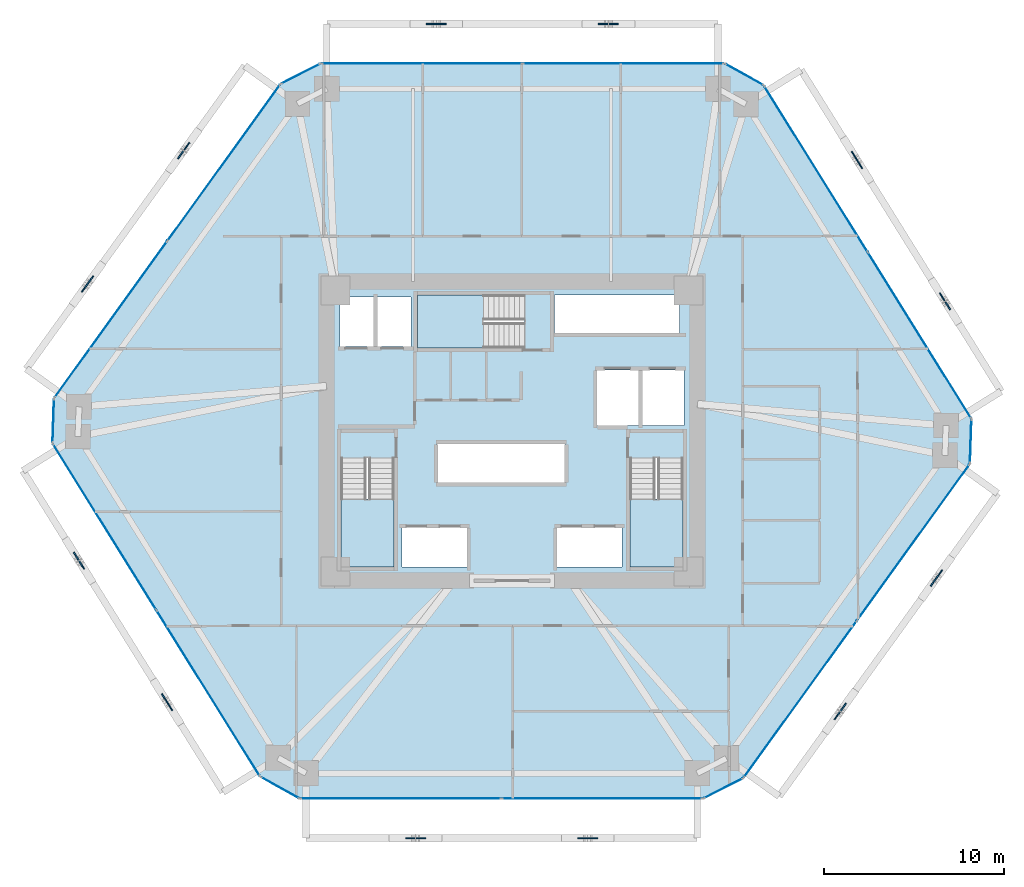
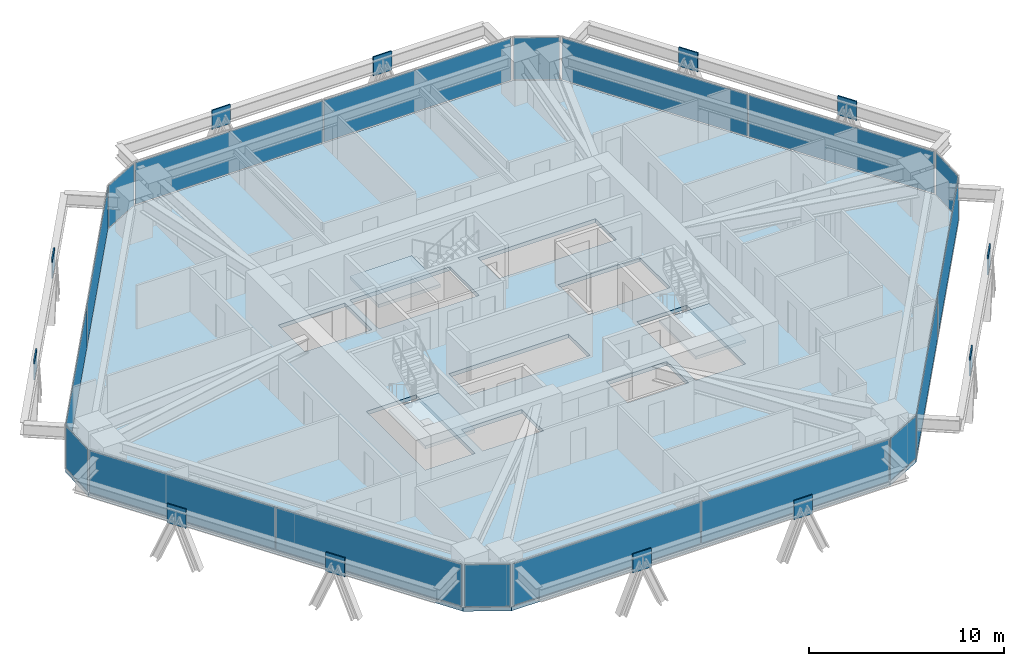
# One storey, part 10 of 18: 30 plates, 4 slabs, 15 elements without a shape of their own.
"""IFC4 building model written with IfcOpenShell, lengths in metres."""

from ifc_helpers import new_model, si_unit, direction, frame, origin, origin_2d, place, context, subcontext, project, spatial, polyline, rectangle, outline, extrude, source, transform, mapped, material, layer, layer_set, type_object, type_shapes, element, aggregate, save


model = new_model("IFC4")

# Units and contexts
model_context = context("Model", 3, precision=1e-05, world=origin(), true_north=direction((0.0, 1.0)))
body_context = subcontext(model_context, "Body", "Model", "MODEL_VIEW")
ifc_project = project(units=[si_unit("LENGTHUNIT", "METRE"), si_unit("AREAUNIT", "SQUARE_METRE"), si_unit("VOLUMEUNIT", "CUBIC_METRE"), si_unit("PLANEANGLEUNIT", "RADIAN"), si_unit("MASSUNIT", "GRAM", prefix="KILO")], contexts=[model_context])

# Site, building, storey
site_placement = place(None, origin())
site = spatial("IfcSite", under=ifc_project, at=site_placement, CompositionType="ELEMENT")
building_placement = place(site_placement, origin())
building = spatial("IfcBuilding", under=site, at=building_placement, Name="Durnholm Broadcast Tower", CompositionType="ELEMENT")
storey_placement = place(building_placement, frame((0.0, 0.0, 78.300048828125)))
storey = spatial("IfcBuildingStorey", under=building, at=storey_placement, Name="L20", CompositionType="ELEMENT", Elevation=78.300048828125)

# Slab
ifc_material_1 = material(Name="Concrete C50/60", Category="concrete")
ifc_layer_1 = layer(ifc_material_1, 0.239990234375)
ifc_layer_set_1 = layer_set([ifc_layer_1], Name="Concrete C50/60")
slab_type_1 = type_object("IfcSlabType", Name="SLAB-FLR-240", PredefinedType="FLOOR", material=ifc_layer_set_1)
slab_1_placement = place(storey_placement, frame((0.0, 0.0, -0.239990234375)))
element("IfcSlab", 1, at=slab_1_placement, inside=storey, type_object=slab_type_1, Name="L20 structural floor slab", PredefinedType="FLOOR", context=body_context, shape_type="SweptSolid", body=[
    extrude(outline(polyline([(-13.9794921875, -19.186279296875), (-11.793701171875, -20.39990234375), (10.6201171875, -20.39990234375), (12.845703125, -19.260986328125), (25.419921875, -1.820556640625), (25.50439453125, 0.677978515625), (13.9794921875, 19.186279296875), (11.793701171875, 20.39990234375), (-10.6201171875, 20.39990234375), (-12.845703125, 19.260986328125), (-25.419921875, 1.820556640625), (-25.50439453125, -0.677978515625), (-13.9794921875, -19.186279296875)]), holes=[polyline([(-2.5, -5.35009765625), (-6.10009765625, -5.35009765625), (-6.10009765625, -7.550048828125), (-2.5, -7.550048828125), (-2.5, -5.35009765625)]), polyline([(6.10009765625, -5.35009765625), (2.5, -5.35009765625), (2.5, -7.550048828125), (6.10009765625, -7.550048828125), (6.10009765625, -5.35009765625)]), polyline([(-6.5400390625, -7.550048828125), (-6.5400390625, -1.5), (-9.5, -1.5), (-9.5, -7.550048828125), (-6.5400390625, -7.550048828125)]), polyline([(9.5, -7.550048828125), (9.5, -1.5), (6.5400390625, -1.5), (6.5400390625, -7.550048828125), (9.5, -7.550048828125)]), polyline([(2.949951171875, -0.699951171875), (-4.14990234375, -0.699951171875), (-4.14990234375, -2.89990234375), (2.949951171875, -2.89990234375), (2.949951171875, -0.699951171875)]), polyline([(9.550048828125, 3.39990234375), (4.699951171875, 3.39990234375), (4.699951171875, 0.300048828125), (9.550048828125, 0.300048828125), (9.550048828125, 3.39990234375)]), polyline([(-5.60009765625, 7.449951171875), (-9.550048828125, 7.449951171875), (-9.550048828125, 4.699951171875), (-5.60009765625, 4.699951171875), (-5.60009765625, 7.449951171875)]), polyline([(-5.25, 7.56005859375), (-5.25, 4.60009765625), (0.699951171875, 4.60009765625), (0.699951171875, 7.56005859375), (-5.25, 7.56005859375)]), polyline([(9.31005859375, 5.39990234375), (9.31005859375, 7.550048828125), (2.35009765625, 7.550048828125), (2.35009765625, 5.39990234375), (9.31005859375, 5.39990234375)])]), origin(), (0.0, 0.0, 1.0), 0.239990234375),
])

# Stair, slab
stair_type = type_object("IfcStairType", Name="STAIR-DL-18R1667", PredefinedType="HALF_TURN_STAIR", material=ifc_material_1)
stair_1_placement = place(storey_placement, origin())
stair_1 = element("IfcStair", 2, at=stair_1_placement, inside=storey, type_object=stair_type, Name="L20 ST-1", PredefinedType="HALF_TURN_STAIR")
ifc_layer_2 = layer(ifc_material_1, 0.199951171875)
ifc_layer_set_2 = layer_set([ifc_layer_2], Name="Concrete C50/60")
slab_type_2 = type_object("IfcSlabType", Name="SLAB-LND-200", PredefinedType="LANDING", material=ifc_layer_set_2)
slab_2_placement = place(storey_placement, frame((0.0, 0.0, 1.300048828125)))
slab_2 = element("IfcSlab", 3, at=slab_2_placement, type_object=slab_type_2, Name="ST-1 landing 1", PredefinedType="LANDING", context=body_context, shape_type="SweptSolid", body=[
    extrude(outline(polyline([(-9.5, -3.780029296875), (-9.5, -7.550048828125), (-6.5400390625, -7.550048828125), (-6.5400390625, -3.780029296875), (-9.5, -3.780029296875)])), origin(), (0.0, 0.0, 1.0), 0.199951171875),
])
aggregate(stair_1, [slab_2])

stair_2_placement = place(storey_placement, origin())
stair_2 = element("IfcStair", 4, at=stair_2_placement, inside=storey, type_object=stair_type, Name="L20 ST-2", PredefinedType="HALF_TURN_STAIR")
slab_3_placement = place(storey_placement, frame((0.0, 0.0, 1.300048828125)))
slab_3 = element("IfcSlab", 5, at=slab_3_placement, type_object=slab_type_2, Name="ST-2 landing 1", PredefinedType="LANDING", context=body_context, shape_type="SweptSolid", body=[
    extrude(outline(polyline([(6.5400390625, -3.780029296875), (6.5400390625, -7.550048828125), (9.5, -7.550048828125), (9.5, -3.780029296875), (6.5400390625, -3.780029296875)])), origin(), (0.0, 0.0, 1.0), 0.199951171875),
])
aggregate(stair_2, [slab_3])

stair_3_placement = place(storey_placement, origin())
stair_3 = element("IfcStair", 6, at=stair_3_placement, inside=storey, type_object=stair_type, Name="L20 ST-3", PredefinedType="HALF_TURN_STAIR")
slab_4_placement = place(storey_placement, frame((0.0, 0.0, 1.300048828125)))
slab_4 = element("IfcSlab", 7, at=slab_4_placement, type_object=slab_type_2, Name="ST-3 landing 1", PredefinedType="LANDING", context=body_context, shape_type="SweptSolid", body=[
    extrude(outline(polyline([(-1.580078125, 7.56005859375), (-5.25, 7.56005859375), (-5.25, 4.60009765625), (-1.580078125, 4.60009765625), (-1.580078125, 7.56005859375)])), origin(), (0.0, 0.0, 1.0), 0.199951171875),
])
aggregate(stair_3, [slab_4])

# Plates
ifc_material_2 = material(Name="Steel ASTM A572 Grade 50", Category="steel")
ifc_layer_3 = layer(ifc_material_2, 0.074951171875)
ifc_layer_set_3 = layer_set([ifc_layer_3], Name="Steel ASTM A572 Grade 50")
plate_type_1 = type_object("IfcPlateType", Name="PLT-KN03-GUS", PredefinedType="USERDEFINED", material=ifc_layer_set_3)
shared_shape_1 = source(origin(), body_context, "Body", "SweptSolid", [
    extrude(rectangle(XDim=1.10009765625, YDim=0.074951171875, at=origin_2d()), origin(), (0.0, 0.0, 1.0), 1.199951171875),
])
type_shapes(plate_type_1, [shared_shape_1])
for number, where, z_axis, x_axis, name in (
    (8, (-5.351318359375, -22.60009765625, 1.40869140625), (0.0, 0.0, 1.0), (1.0, 0.0, 0.0), "L20 welded diagrid node gusset plate KN03 F1"),
    (9, (4.202880859375, -22.60009765625, 1.40869140625), (0.0, 0.0, 1.0), (1.0, 0.0, 0.0), "L20 welded diagrid node gusset plate KN03 F1"),
    (10, (18.223388671875, -15.56396484375, 1.40869140625), (0.0, 0.0, 1.0), (0.584816108738, 0.81116590101, 0.0), "L20 welded diagrid node gusset plate KN03 F2"),
    (11, (23.5595703125, -8.16259765625, 1.40869140625), (0.0, 0.0, 1.0), (0.584816108738, 0.81116590101, 0.0), "L20 welded diagrid node gusset plate KN03 F2"),
    (12, (24.036376953125, 7.197509765625, 1.40869140625), (0.0, 0.0, 1.0), (-0.528586500185, 0.848879444811, 0.0), "L20 welded diagrid node gusset plate KN03 F3"),
    (13, (19.14892578125, 15.04638671875, 1.40869140625), (0.0, 0.0, 1.0), (-0.528586500185, 0.848879444811, 0.0), "L20 welded diagrid node gusset plate KN03 F3"),
    (14, (5.351318359375, 22.60009765625, 1.40869140625), (0.0, 0.0, 1.0), (-1.0, 0.0, 0.0), "L20 welded diagrid node gusset plate KN03 F4"),
    (15, (-4.202880859375, 22.60009765625, 1.40869140625), (0.0, 0.0, 1.0), (-1.0, 0.0, 0.0), "L20 welded diagrid node gusset plate KN03 F4"),
    (16, (-18.223388671875, 15.56396484375, 1.40869140625), (0.0, 0.0, 1.0), (-0.584816108738, -0.81116590101, 0.0), "L20 welded diagrid node gusset plate KN03 F5"),
    (17, (-23.5595703125, 8.16259765625, 1.40869140625), (0.0, 0.0, 1.0), (-0.584816108738, -0.81116590101, 0.0), "L20 welded diagrid node gusset plate KN03 F5"),
    (18, (-24.036376953125, -7.197509765625, 1.40869140625), (0.0, 0.0, 1.0), (0.528586500185, -0.848879444811, 0.0), "L20 welded diagrid node gusset plate KN03 F6"),
    (19, (-19.14892578125, -15.04638671875, 1.40869140625), (0.0, 0.0, 1.0), (0.528586500185, -0.848879444811, 0.0), "L20 welded diagrid node gusset plate KN03 F6"),
):
    element("IfcPlate", number, at=place(storey_placement, frame(where, z_axis=z_axis, x_axis=x_axis)), inside=storey, type_object=plate_type_1, Name=name, ObjectType="GUSSET_PLATE", PredefinedType="USERDEFINED", context=body_context, shape_type="MappedRepresentation", body=[
        mapped(shared_shape_1, transform((0.0, 0.0, 0.0), x_axis=(1.0, 0.0, 0.0), y_axis=(0.0, 1.0, 0.0), z_axis=(0.0, 0.0, 1.0), scale=1.0)),
    ])

# Curtain wall, plate
ifc_material_3 = material(Name="Aluminium and Solar Control IGU", Category="aluminium")
ifc_layer_4 = layer(ifc_material_3, 0.1650390625)
ifc_layer_set_4 = layer_set([ifc_layer_4], Name="Aluminium and Solar Control IGU")
curtain_wall_type_1 = type_object("IfcCurtainWallType", Name="CW-SYS-5", PredefinedType="NOTDEFINED", material=ifc_layer_set_4)
curtain_wall_1_placement = place(storey_placement, origin())
curtain_wall_1 = element("IfcCurtainWall", 20, at=curtain_wall_1_placement, inside=storey, type_object=curtain_wall_type_1, Name="L20 curtain wall CW-CORNER CW-L20-CRN-01", PredefinedType="NOTDEFINED")
ifc_material_4 = material(Name="Low-E Laminated Insulating Glass", Category="glass")
ifc_layer_5 = layer(ifc_material_4, 0.030029296875)
ifc_layer_set_5 = layer_set([ifc_layer_5], Name="Low-E Laminated Insulating Glass")
plate_type_2 = type_object("IfcPlateType", Name="CW-SYS-5-PNL", PredefinedType="CURTAIN_PANEL", material=ifc_layer_set_5)
shared_shape_2 = source(origin(), body_context, "Body", "SweptSolid", [
    extrude(rectangle(XDim=2.3701171875, YDim=0.030029296875, at=origin_2d()), origin(), (0.0, 0.0, 1.0), 2.6298828125),
])
plate_1_placement = place(storey_placement, frame((-25.462158203125, 0.5712890625, 0.06494140625), z_axis=(0.0, 0.0, 1.0), x_axis=(0.033839569233, 0.999427277772, 0.0)))
plate_1 = element("IfcPlate", 21, at=plate_1_placement, type_object=plate_type_2, Name="CW-CORNER panel 1.1", PredefinedType="CURTAIN_PANEL", context=body_context, shape_type="MappedRepresentation", body=[
    mapped(shared_shape_2, transform((0.0, 0.0, 0.0), x_axis=(1.0, 0.0, 0.0), y_axis=(0.0, 1.0, 0.0), z_axis=(0.0, 0.0, 1.0), scale=1.0)),
])
aggregate(curtain_wall_1, [plate_1])

curtain_wall_2_placement = place(storey_placement, origin())
curtain_wall_2 = element("IfcCurtainWall", 22, at=curtain_wall_2_placement, inside=storey, type_object=curtain_wall_type_1, Name="L20 curtain wall CW-CORNER CW-L20-CRN-03", PredefinedType="NOTDEFINED")
plate_2_placement = place(storey_placement, frame((-11.73291015625, 19.83056640625, 0.06494140625), z_axis=(0.0, 0.0, 1.0), x_axis=(0.890187804512, 0.455593758406, 0.0)))
plate_2 = element("IfcPlate", 23, at=plate_2_placement, type_object=plate_type_2, Name="CW-CORNER panel 1.1", PredefinedType="CURTAIN_PANEL", context=body_context, shape_type="MappedRepresentation", body=[
    mapped(shared_shape_2, transform((0.0, 0.0, 0.0), x_axis=(1.0, 0.0, 0.0), y_axis=(0.0, 1.0, 0.0), z_axis=(0.0, 0.0, 1.0), scale=1.0)),
])
aggregate(curtain_wall_2, [plate_2])

curtain_wall_3_placement = place(storey_placement, origin())
curtain_wall_3 = element("IfcCurtainWall", 24, at=curtain_wall_3_placement, inside=storey, type_object=curtain_wall_type_1, Name="L20 curtain wall CW-CORNER CW-L20-CRN-07", PredefinedType="NOTDEFINED")
plate_3_placement = place(storey_placement, frame((25.462158203125, -0.5712890625, 0.06494140625), z_axis=(0.0, 0.0, 1.0), x_axis=(-0.033839569233, -0.999427277772, 0.0)))
plate_3 = element("IfcPlate", 25, at=plate_3_placement, type_object=plate_type_2, Name="CW-CORNER panel 1.1", PredefinedType="CURTAIN_PANEL", context=body_context, shape_type="MappedRepresentation", body=[
    mapped(shared_shape_2, transform((0.0, 0.0, 0.0), x_axis=(1.0, 0.0, 0.0), y_axis=(0.0, 1.0, 0.0), z_axis=(0.0, 0.0, 1.0), scale=1.0)),
])
aggregate(curtain_wall_3, [plate_3])

curtain_wall_4_placement = place(storey_placement, origin())
curtain_wall_4 = element("IfcCurtainWall", 26, at=curtain_wall_4_placement, inside=storey, type_object=curtain_wall_type_1, Name="L20 curtain wall CW-CORNER CW-L20-CRN-09", PredefinedType="NOTDEFINED")
plate_4_placement = place(storey_placement, frame((11.73291015625, -19.83056640625, 0.06494140625), z_axis=(0.0, 0.0, 1.0), x_axis=(-0.890187804512, -0.455593758406, 0.0)))
plate_4 = element("IfcPlate", 27, at=plate_4_placement, type_object=plate_type_2, Name="CW-CORNER panel 1.1", PredefinedType="CURTAIN_PANEL", context=body_context, shape_type="MappedRepresentation", body=[
    mapped(shared_shape_2, transform((0.0, 0.0, 0.0), x_axis=(1.0, 0.0, 0.0), y_axis=(0.0, 1.0, 0.0), z_axis=(0.0, 0.0, 1.0), scale=1.0)),
])
aggregate(curtain_wall_4, [plate_4])

# Curtain wall, plates
ifc_layer_6 = layer(ifc_material_3, 0.18994140625)
ifc_layer_set_6 = layer_set([ifc_layer_6], Name="Aluminium and Solar Control IGU")
curtain_wall_type_2 = type_object("IfcCurtainWallType", Name="CW-SYS-3", PredefinedType="NOTDEFINED", material=ifc_layer_set_6)
curtain_wall_5_placement = place(storey_placement, origin())
curtain_wall_5 = element("IfcCurtainWall", 28, at=curtain_wall_5_placement, inside=storey, type_object=curtain_wall_type_2, Name="L20 curtain wall CW-Z12-VIS CW-L20-F02", PredefinedType="NOTDEFINED")
ifc_layer_7 = layer(ifc_material_4, 0.031982421875)
ifc_layer_set_7 = layer_set([ifc_layer_7], Name="Low-E Laminated Insulating Glass")
plate_type_3 = type_object("IfcPlateType", Name="CW-SYS-3-PNL", PredefinedType="CURTAIN_PANEL", material=ifc_layer_set_7)
shared_shape_3 = source(origin(), body_context, "Body", "SweptSolid", [
    extrude(rectangle(XDim=10.645263671875, YDim=0.031982421875, at=origin_2d()), origin(), (0.0, 0.0, 1.0), 2.6201171875),
])
plate_5_placement = place(storey_placement, frame((-22.26611328125, 6.19482421875, 0.06982421875), z_axis=(0.0, 0.0, 1.0), x_axis=(0.584823496176, 0.81116057493, 0.0)))
plate_5 = element("IfcPlate", 29, at=plate_5_placement, type_object=plate_type_3, Name="CW-Z12-VIS panel 1.1", PredefinedType="CURTAIN_PANEL", context=body_context, shape_type="MappedRepresentation", body=[
    mapped(shared_shape_3, transform((0.0, 0.0, 0.0), x_axis=(1.0, 0.0, 0.0), y_axis=(0.0, 1.0, 0.0), z_axis=(0.0, 0.0, 1.0), scale=1.0)),
])
plate_6_placement = place(storey_placement, frame((-15.99951171875, 14.88671875, 0.06982421875), z_axis=(0.0, 0.0, 1.0), x_axis=(0.584823496176, 0.81116057493, 0.0)))
plate_6 = element("IfcPlate", 30, at=plate_6_placement, type_object=plate_type_3, Name="CW-Z12-VIS panel 2.1", PredefinedType="CURTAIN_PANEL", context=body_context, shape_type="MappedRepresentation", body=[
    mapped(shared_shape_3, transform((0.0, 0.0, 0.0), x_axis=(1.0, 0.0, 0.0), y_axis=(0.0, 1.0, 0.0), z_axis=(0.0, 0.0, 1.0), scale=1.0)),
])
aggregate(curtain_wall_5, [plate_5, plate_6])

curtain_wall_6_placement = place(storey_placement, origin())
curtain_wall_6 = element("IfcCurtainWall", 31, at=curtain_wall_6_placement, inside=storey, type_object=curtain_wall_type_2, Name="L20 curtain wall CW-Z12-VIS CW-L20-F08", PredefinedType="NOTDEFINED")
plate_7_placement = place(storey_placement, frame((22.26611328125, -6.19482421875, 0.06982421875), z_axis=(0.0, 0.0, 1.0), x_axis=(-0.584823496176, -0.81116057493, 0.0)))
plate_7 = element("IfcPlate", 32, at=plate_7_placement, type_object=plate_type_3, Name="CW-Z12-VIS panel 1.1", PredefinedType="CURTAIN_PANEL", context=body_context, shape_type="MappedRepresentation", body=[
    mapped(shared_shape_3, transform((0.0, 0.0, 0.0), x_axis=(1.0, 0.0, 0.0), y_axis=(0.0, 1.0, 0.0), z_axis=(0.0, 0.0, 1.0), scale=1.0)),
])
plate_8_placement = place(storey_placement, frame((15.99951171875, -14.88671875, 0.06982421875), z_axis=(0.0, 0.0, 1.0), x_axis=(-0.584823496176, -0.81116057493, 0.0)))
plate_8 = element("IfcPlate", 33, at=plate_8_placement, type_object=plate_type_3, Name="CW-Z12-VIS panel 2.1", PredefinedType="CURTAIN_PANEL", context=body_context, shape_type="MappedRepresentation", body=[
    mapped(shared_shape_3, transform((0.0, 0.0, 0.0), x_axis=(1.0, 0.0, 0.0), y_axis=(0.0, 1.0, 0.0), z_axis=(0.0, 0.0, 1.0), scale=1.0)),
])
aggregate(curtain_wall_6, [plate_7, plate_8])

curtain_wall_7_placement = place(storey_placement, origin())
curtain_wall_7 = element("IfcCurtainWall", 34, at=curtain_wall_7_placement, inside=storey, type_object=curtain_wall_type_2, Name="L20 curtain wall CW-Z12-VIS CW-L20-F04", PredefinedType="NOTDEFINED")
shared_shape_4 = source(origin(), body_context, "Body", "SweptSolid", [
    extrude(rectangle(XDim=11.10205078125, YDim=0.031982421875, at=origin_2d()), origin(), (0.0, 0.0, 1.0), 2.6201171875),
])
plate_9_placement = place(storey_placement, frame((-4.999267578125, 20.39990234375, 0.06982421875), z_axis=(0.0, 0.0, 1.0), x_axis=(1.0, 0.0, 0.0)))
plate_9 = element("IfcPlate", 35, at=plate_9_placement, type_object=plate_type_3, Name="CW-Z12-VIS panel 1.1", PredefinedType="CURTAIN_PANEL", context=body_context, shape_type="MappedRepresentation", body=[
    mapped(shared_shape_4, transform((0.0, 0.0, 0.0), x_axis=(1.0, 0.0, 0.0), y_axis=(0.0, 1.0, 0.0), z_axis=(0.0, 0.0, 1.0), scale=1.0)),
])
plate_10_placement = place(storey_placement, frame((6.1728515625, 20.39990234375, 0.06982421875), z_axis=(0.0, 0.0, 1.0), x_axis=(1.0, 0.0, 0.0)))
plate_10 = element("IfcPlate", 36, at=plate_10_placement, type_object=plate_type_3, Name="CW-Z12-VIS panel 2.1", PredefinedType="CURTAIN_PANEL", context=body_context, shape_type="MappedRepresentation", body=[
    mapped(shared_shape_4, transform((0.0, 0.0, 0.0), x_axis=(1.0, 0.0, 0.0), y_axis=(0.0, 1.0, 0.0), z_axis=(0.0, 0.0, 1.0), scale=1.0)),
])
aggregate(curtain_wall_7, [plate_9, plate_10])

curtain_wall_8_placement = place(storey_placement, origin())
curtain_wall_8 = element("IfcCurtainWall", 37, at=curtain_wall_8_placement, inside=storey, type_object=curtain_wall_type_2, Name="L20 curtain wall CW-Z12-VIS CW-L20-F10", PredefinedType="NOTDEFINED")
plate_11_placement = place(storey_placement, frame((4.999267578125, -20.39990234375, 0.06982421875), z_axis=(0.0, 0.0, 1.0), x_axis=(-1.0, 0.0, 0.0)))
plate_11 = element("IfcPlate", 38, at=plate_11_placement, type_object=plate_type_3, Name="CW-Z12-VIS panel 1.1", PredefinedType="CURTAIN_PANEL", context=body_context, shape_type="MappedRepresentation", body=[
    mapped(shared_shape_4, transform((0.0, 0.0, 0.0), x_axis=(1.0, 0.0, 0.0), y_axis=(0.0, 1.0, 0.0), z_axis=(0.0, 0.0, 1.0), scale=1.0)),
])
plate_12_placement = place(storey_placement, frame((-6.1728515625, -20.39990234375, 0.06982421875), z_axis=(0.0, 0.0, 1.0), x_axis=(-1.0, 0.0, 0.0)))
plate_12 = element("IfcPlate", 39, at=plate_12_placement, type_object=plate_type_3, Name="CW-Z12-VIS panel 2.1", PredefinedType="CURTAIN_PANEL", context=body_context, shape_type="MappedRepresentation", body=[
    mapped(shared_shape_4, transform((0.0, 0.0, 0.0), x_axis=(1.0, 0.0, 0.0), y_axis=(0.0, 1.0, 0.0), z_axis=(0.0, 0.0, 1.0), scale=1.0)),
])
aggregate(curtain_wall_8, [plate_11, plate_12])

# Curtain wall, plate
curtain_wall_9_placement = place(storey_placement, origin())
curtain_wall_9 = element("IfcCurtainWall", 40, at=curtain_wall_9_placement, inside=storey, type_object=curtain_wall_type_1, Name="L20 curtain wall CW-CORNER CW-L20-CRN-05", PredefinedType="NOTDEFINED")
shared_shape_5 = source(origin(), body_context, "Body", "SweptSolid", [
    extrude(rectangle(XDim=2.369873046875, YDim=0.030029296875, at=origin_2d()), origin(), (0.0, 0.0, 1.0), 2.6298828125),
])
type_shapes(plate_type_2, [shared_shape_2, shared_shape_5])
plate_13_placement = place(storey_placement, frame((12.88671875, 19.793212890625, 0.06494140625), z_axis=(0.0, 0.0, 1.0), x_axis=(0.874245941394, -0.485483299359, 0.0)))
plate_13 = element("IfcPlate", 41, at=plate_13_placement, type_object=plate_type_2, Name="CW-CORNER panel 1.1", PredefinedType="CURTAIN_PANEL", context=body_context, shape_type="MappedRepresentation", body=[
    mapped(shared_shape_5, transform((0.0, 0.0, 0.0), x_axis=(1.0, 0.0, 0.0), y_axis=(0.0, 1.0, 0.0), z_axis=(0.0, 0.0, 1.0), scale=1.0)),
])
aggregate(curtain_wall_9, [plate_13])

curtain_wall_10_placement = place(storey_placement, origin())
curtain_wall_10 = element("IfcCurtainWall", 42, at=curtain_wall_10_placement, inside=storey, type_object=curtain_wall_type_1, Name="L20 curtain wall CW-CORNER CW-L20-CRN-11", PredefinedType="NOTDEFINED")
plate_14_placement = place(storey_placement, frame((-12.88671875, -19.793212890625, 0.06494140625), z_axis=(0.0, 0.0, 1.0), x_axis=(-0.874245941394, 0.485483299359, 0.0)))
plate_14 = element("IfcPlate", 43, at=plate_14_placement, type_object=plate_type_2, Name="CW-CORNER panel 1.1", PredefinedType="CURTAIN_PANEL", context=body_context, shape_type="MappedRepresentation", body=[
    mapped(shared_shape_5, transform((0.0, 0.0, 0.0), x_axis=(1.0, 0.0, 0.0), y_axis=(0.0, 1.0, 0.0), z_axis=(0.0, 0.0, 1.0), scale=1.0)),
])
aggregate(curtain_wall_10, [plate_14])

# Curtain wall, plates
curtain_wall_11_placement = place(storey_placement, origin())
curtain_wall_11 = element("IfcCurtainWall", 44, at=curtain_wall_11_placement, inside=storey, type_object=curtain_wall_type_2, Name="L20 curtain wall CW-Z12-VIS CW-L20-F06", PredefinedType="NOTDEFINED")
shared_shape_6 = source(origin(), body_context, "Body", "SweptSolid", [
    extrude(rectangle(XDim=10.796630859375, YDim=0.031982421875, at=origin_2d()), origin(), (0.0, 0.0, 1.0), 2.6201171875),
])
type_shapes(plate_type_3, [shared_shape_3, shared_shape_4, shared_shape_6])
plate_15_placement = place(storey_placement, frame((16.869873046875, 14.54443359375, 0.06982421875), z_axis=(0.0, 0.0, 1.0), x_axis=(0.528592376777, -0.848875785503, 0.0)))
plate_15 = element("IfcPlate", 45, at=plate_15_placement, type_object=plate_type_3, Name="CW-Z12-VIS panel 1.1", PredefinedType="CURTAIN_PANEL", context=body_context, shape_type="MappedRepresentation", body=[
    mapped(shared_shape_6, transform((0.0, 0.0, 0.0), x_axis=(1.0, 0.0, 0.0), y_axis=(0.0, 1.0, 0.0), z_axis=(0.0, 0.0, 1.0), scale=1.0)),
])
plate_16_placement = place(storey_placement, frame((22.614013671875, 5.320068359375, 0.06982421875), z_axis=(0.0, 0.0, 1.0), x_axis=(0.528592376777, -0.848875785503, 0.0)))
plate_16 = element("IfcPlate", 46, at=plate_16_placement, type_object=plate_type_3, Name="CW-Z12-VIS panel 2.1", PredefinedType="CURTAIN_PANEL", context=body_context, shape_type="MappedRepresentation", body=[
    mapped(shared_shape_6, transform((0.0, 0.0, 0.0), x_axis=(1.0, 0.0, 0.0), y_axis=(0.0, 1.0, 0.0), z_axis=(0.0, 0.0, 1.0), scale=1.0)),
])
aggregate(curtain_wall_11, [plate_15, plate_16])

curtain_wall_12_placement = place(storey_placement, origin())
curtain_wall_12 = element("IfcCurtainWall", 47, at=curtain_wall_12_placement, inside=storey, type_object=curtain_wall_type_2, Name="L20 curtain wall CW-Z12-VIS CW-L20-F12", PredefinedType="NOTDEFINED")
plate_17_placement = place(storey_placement, frame((-16.869873046875, -14.54443359375, 0.06982421875), z_axis=(0.0, 0.0, 1.0), x_axis=(-0.528592376777, 0.848875785503, 0.0)))
plate_17 = element("IfcPlate", 48, at=plate_17_placement, type_object=plate_type_3, Name="CW-Z12-VIS panel 1.1", PredefinedType="CURTAIN_PANEL", context=body_context, shape_type="MappedRepresentation", body=[
    mapped(shared_shape_6, transform((0.0, 0.0, 0.0), x_axis=(1.0, 0.0, 0.0), y_axis=(0.0, 1.0, 0.0), z_axis=(0.0, 0.0, 1.0), scale=1.0)),
])
plate_18_placement = place(storey_placement, frame((-22.614013671875, -5.320068359375, 0.06982421875), z_axis=(0.0, 0.0, 1.0), x_axis=(-0.528592376777, 0.848875785503, 0.0)))
plate_18 = element("IfcPlate", 49, at=plate_18_placement, type_object=plate_type_3, Name="CW-Z12-VIS panel 2.1", PredefinedType="CURTAIN_PANEL", context=body_context, shape_type="MappedRepresentation", body=[
    mapped(shared_shape_6, transform((0.0, 0.0, 0.0), x_axis=(1.0, 0.0, 0.0), y_axis=(0.0, 1.0, 0.0), z_axis=(0.0, 0.0, 1.0), scale=1.0)),
])
aggregate(curtain_wall_12, [plate_17, plate_18])

save(model, "model.ifc")
